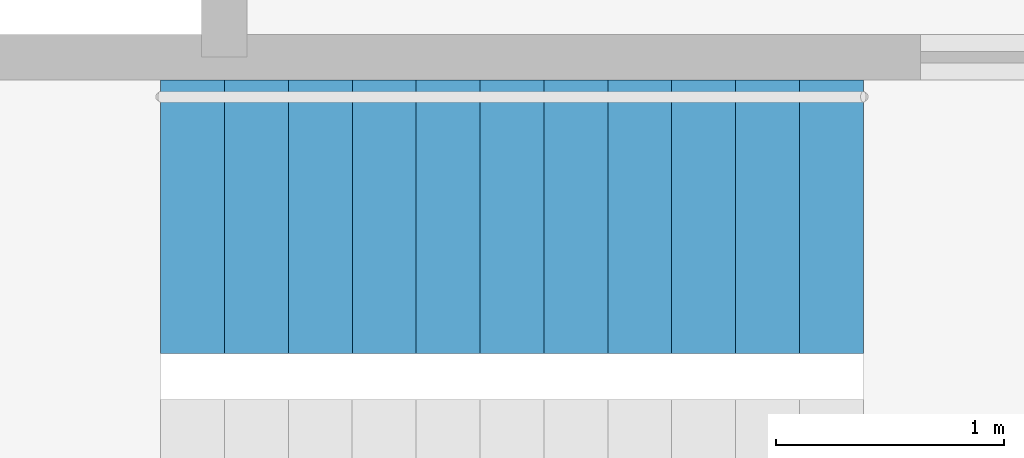
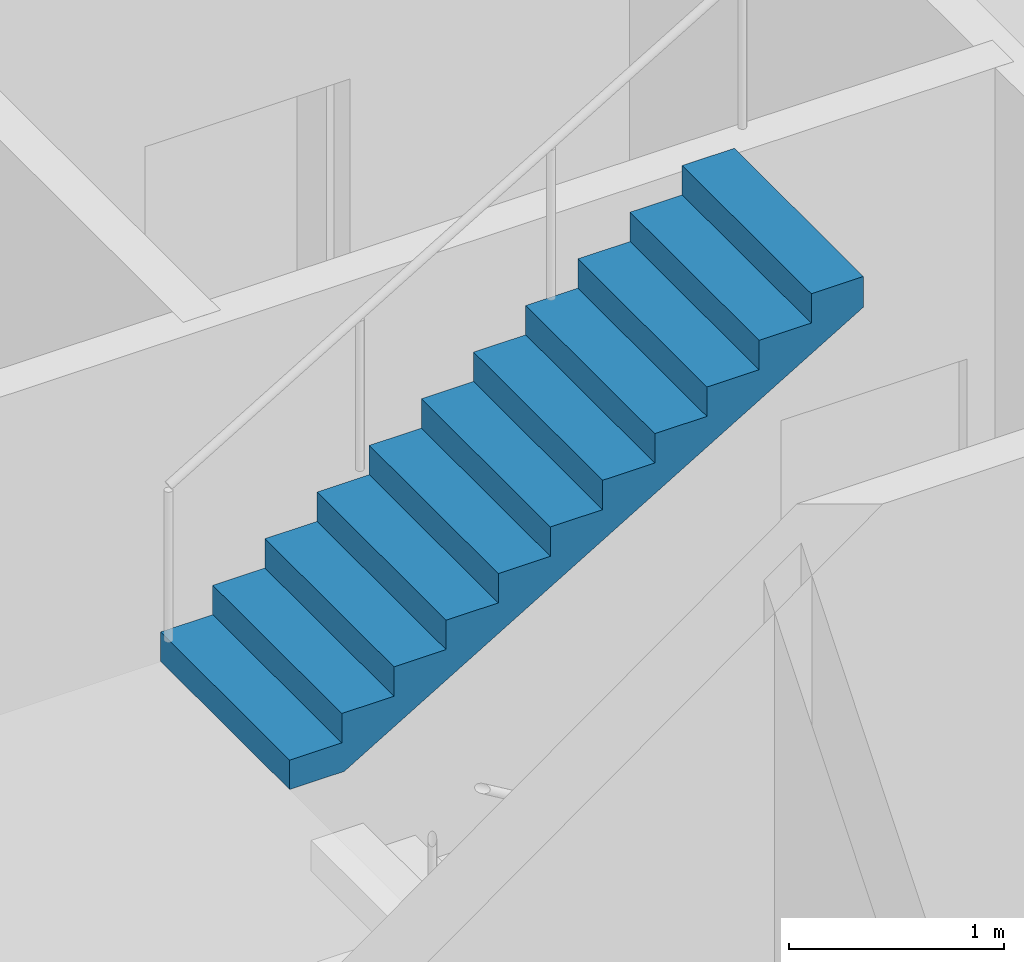
# One storey, part 12 of 14: 1 stair flight, 1 element without a shape of its own.
"""IFC4 building model written with IfcOpenShell, lengths in metres."""

from ifc_helpers import new_model, si_unit, direction, frame, origin, place, context, subcontext, project, spatial, polyline, outline, extrude, material, type_object, element, aggregate, save


model = new_model("IFC4")

# Units and contexts
model_context = context("Model", 3, precision=1e-05, world=origin(), true_north=direction((0.0, 1.0)))
body_context = subcontext(model_context, "Body", "Model", "MODEL_VIEW")
ifc_project = project(units=[si_unit("LENGTHUNIT", "METRE"), si_unit("AREAUNIT", "SQUARE_METRE"), si_unit("VOLUMEUNIT", "CUBIC_METRE"), si_unit("PLANEANGLEUNIT", "RADIAN"), si_unit("MASSUNIT", "GRAM", prefix="KILO")], contexts=[model_context])

# Site, building, storey
site_placement = place(None, origin())
site = spatial("IfcSite", under=ifc_project, at=site_placement, CompositionType="ELEMENT")
building_placement = place(site_placement, origin())
building = spatial("IfcBuilding", under=site, at=building_placement, Name="Fenwick Lantern Interchange", CompositionType="ELEMENT")
storey_placement = place(building_placement, frame((0.0, 0.0, 130.39990234375)))
storey = spatial("IfcBuildingStorey", under=building, at=storey_placement, Name="L30", CompositionType="ELEMENT", Elevation=130.39990234375)

# Stair, stair flight
ifc_material = material(Name="Precast concrete f'c 35 MPa", Category="concrete")
stair_type = type_object("IfcStairType", Name="EXIT STAIR 1200", PredefinedType="HALF_TURN_STAIR", material=ifc_material)
stair_placement = place(storey_placement, origin())
stair = element("IfcStair", 1, at=stair_placement, inside=storey, type_object=stair_type, Name="Exit stair ST2", PredefinedType="HALF_TURN_STAIR")
stair_flight_type = type_object("IfcStairFlightType", Name="STAIR FLIGHT 1200", PredefinedType="STRAIGHT", material=ifc_material)
stair_flight_placement = place(storey_placement, frame((25.1201171875, 32.10009765625, 2.0), z_axis=(0.0, 0.0, 1.0), x_axis=(1.0, 0.0, 0.0)))
stair_flight = element("IfcStairFlight", 2, at=stair_flight_placement, type_object=stair_flight_type, Name="ST2 flight 2", NumberOfRisers=12, NumberOfTreads=11, PredefinedType="STRAIGHT", RiserHeight=0.166666667, TreadLength=0.28, context=body_context, shape_type="SweptSolid", body=[
    extrude(outline(polyline([(0.0, 0.0), (0.0, 0.166748046875), (0.280029296875, 0.166748046875), (0.280029296875, 0.333251953125), (0.56005859375, 0.333251953125), (0.56005859375, 0.5), (0.840087890625, 0.5), (0.840087890625, 0.666748046875), (1.1201171875, 0.666748046875), (1.1201171875, 0.833251953125), (1.39990234375, 0.833251953125), (1.39990234375, 1.0), (1.679931640625, 1.0), (1.679931640625, 1.166748046875), (1.9599609375, 1.166748046875), (1.9599609375, 1.333251953125), (2.239990234375, 1.333251953125), (2.239990234375, 1.5), (2.52001953125, 1.5), (2.52001953125, 1.666748046875), (2.800048828125, 1.666748046875), (2.800048828125, 1.833251953125), (3.080078125, 1.833251953125), (3.080078125, 2.0), (3.080078125, 1.658935546875), (0.29296875, 0.0), (0.0, 0.0)])), frame((0.0, 0.60009765625, 0.0), z_axis=(0.0, -1.0, 0.0), x_axis=(1.0, 0.0, 0.0)), (0.0, 0.0, 1.0), 1.199951171875),
])
aggregate(stair, [stair_flight])

save(model, "model.ifc")
